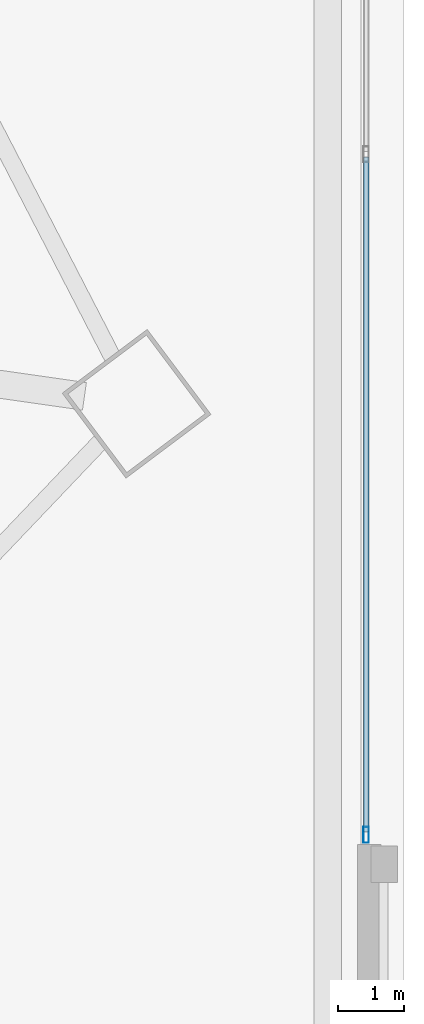
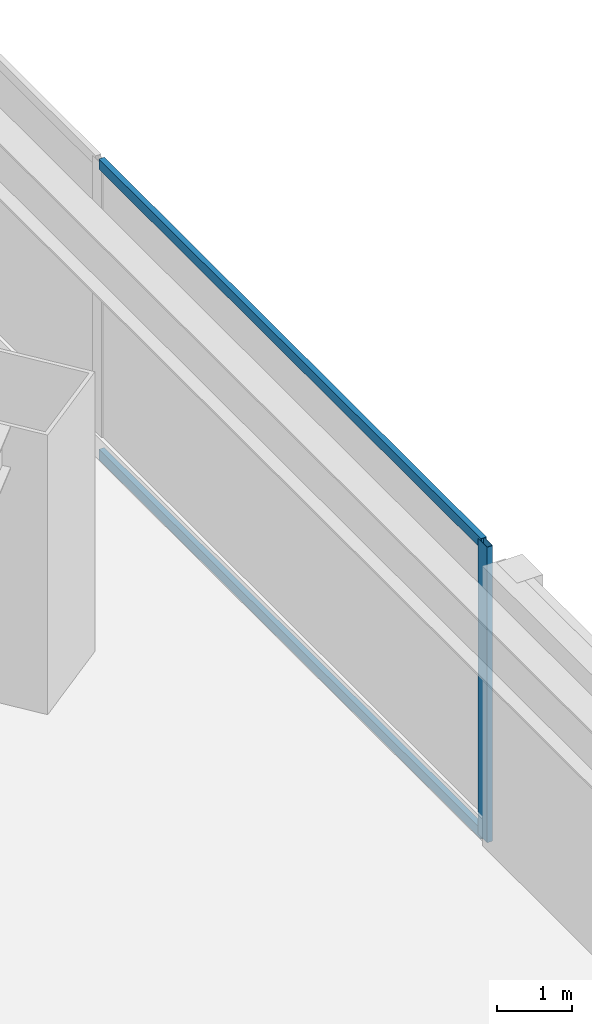
# One storey, part 26 of 44: 3 members, 1 element without a shape of its own.
"""IFC4 building model written with IfcOpenShell, lengths in metres."""

from ifc_helpers import new_model, si_unit, direction, frame, origin, origin_2d, place, context, subcontext, project, spatial, hollow_rectangle, extrude, material, material_profile, profile_set, type_object, element, aggregate, save


model = new_model("IFC4")

# Units and contexts
model_context = context("Model", 3, precision=1e-05, world=origin(), true_north=direction((0.0, 1.0)))
body_context = subcontext(model_context, "Body", "Model", "MODEL_VIEW")
ifc_project = project(units=[si_unit("LENGTHUNIT", "METRE"), si_unit("AREAUNIT", "SQUARE_METRE"), si_unit("VOLUMEUNIT", "CUBIC_METRE"), si_unit("PLANEANGLEUNIT", "RADIAN"), si_unit("MASSUNIT", "GRAM", prefix="KILO")], contexts=[model_context])

# Site, building, storey
site_placement = place(None, origin())
site = spatial("IfcSite", under=ifc_project, at=site_placement, CompositionType="ELEMENT")
building_placement = place(site_placement, origin())
building = spatial("IfcBuilding", under=site, at=building_placement, Name="Tashvorn Skyway Center", CompositionType="ELEMENT")
storey_placement = place(building_placement, frame((0.0, 0.0, 5.39990234375)))
storey = spatial("IfcBuildingStorey", under=building, at=storey_placement, Name="L01", CompositionType="ELEMENT", Elevation=5.39990234375)

# Curtain wall, members
ifc_material = material(Name="Thermally broken bronze-anodized aluminium 6063-T6", Category="aluminium")
curtain_wall_type = type_object("IfcCurtainWallType", Name="CW-CW-Z1", PredefinedType="NOTDEFINED", material=ifc_material)
curtain_wall_placement = place(storey_placement, origin())
curtain_wall = element("IfcCurtainWall", 1, at=curtain_wall_placement, inside=storey, type_object=curtain_wall_type, Name="L01 East Station Concourse Curtain Wall", PredefinedType="NOTDEFINED")
ifc_material_profile_1 = material_profile(ifc_material, hollow_rectangle(XDim=0.0849609375, YDim=0.239990234375, WallThickness=0.0048828125, at=origin_2d()), Name="ALU-MULL-85x240")
ifc_profile_set_1 = profile_set([ifc_material_profile_1], Name="Thermally broken bronze-anodized aluminium 6063-T6")
member_type_1 = type_object("IfcMemberType", Name="CWM-CW-Z1", PredefinedType="MULLION", material=ifc_profile_set_1)
member_1_placement = place(storey_placement, frame((143.780029296875, 21.742431640625, 0.0), z_axis=(0.0, 0.0, 1.0), x_axis=(1.0, 0.0, 0.0)))
member_1 = element("IfcMember", 2, at=member_1_placement, type_object=member_type_1, Name="CW-Z1 mullion 3", PredefinedType="MULLION", context=body_context, shape_type="SweptSolid", body=[
    extrude(hollow_rectangle(XDim=0.0849609375, YDim=0.239990234375, WallThickness=0.0048828125, at=origin_2d()), origin(), (0.0, 0.0, 1.0), 4.800048828125),
])
ifc_material_profile_2 = material_profile(ifc_material, hollow_rectangle(XDim=0.0849609375, YDim=0.1650390625, WallThickness=0.0048828125, at=origin_2d()), Name="ALU-TRAN-85x165")
ifc_profile_set_2 = profile_set([ifc_material_profile_2], Name="Thermally broken bronze-anodized aluminium 6063-T6")
member_type_2 = type_object("IfcMemberType", Name="CWT-CW-Z1", PredefinedType="USERDEFINED", material=ifc_profile_set_2)
member_2_placement = place(storey_placement, frame((143.780029296875, 31.95751953125, 0.04248046875), z_axis=(0.0, -1.0, 0.0), x_axis=(1.0, 0.0, 0.0)))
member_2 = element("IfcMember", 3, at=member_2_placement, type_object=member_type_2, Name="CW-Z1 transom 2.1", ObjectType="TRANSOM", PredefinedType="USERDEFINED", context=body_context, shape_type="SweptSolid", body=[
    extrude(hollow_rectangle(XDim=0.0849609375, YDim=0.1650390625, WallThickness=0.0048828125, at=origin_2d()), origin(), (0.0, 0.0, 1.0), 10.172607421875),
])
member_3_placement = place(storey_placement, frame((143.780029296875, 31.95751953125, 4.757568359375), z_axis=(0.0, -1.0, 0.0), x_axis=(1.0, 0.0, 0.0)))
member_3 = element("IfcMember", 4, at=member_3_placement, type_object=member_type_2, Name="CW-Z1 transom 2.2", ObjectType="TRANSOM", PredefinedType="USERDEFINED", context=body_context, shape_type="SweptSolid", body=[
    extrude(hollow_rectangle(XDim=0.0849609375, YDim=0.1650390625, WallThickness=0.0048828125, at=origin_2d()), origin(), (0.0, 0.0, 1.0), 10.172607421875),
])
aggregate(curtain_wall, [member_1, member_2, member_3])

save(model, "model.ifc")
